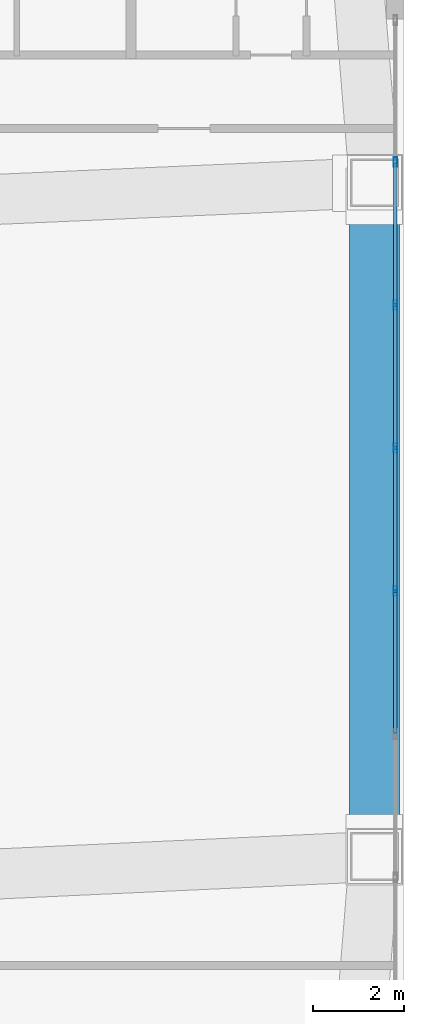
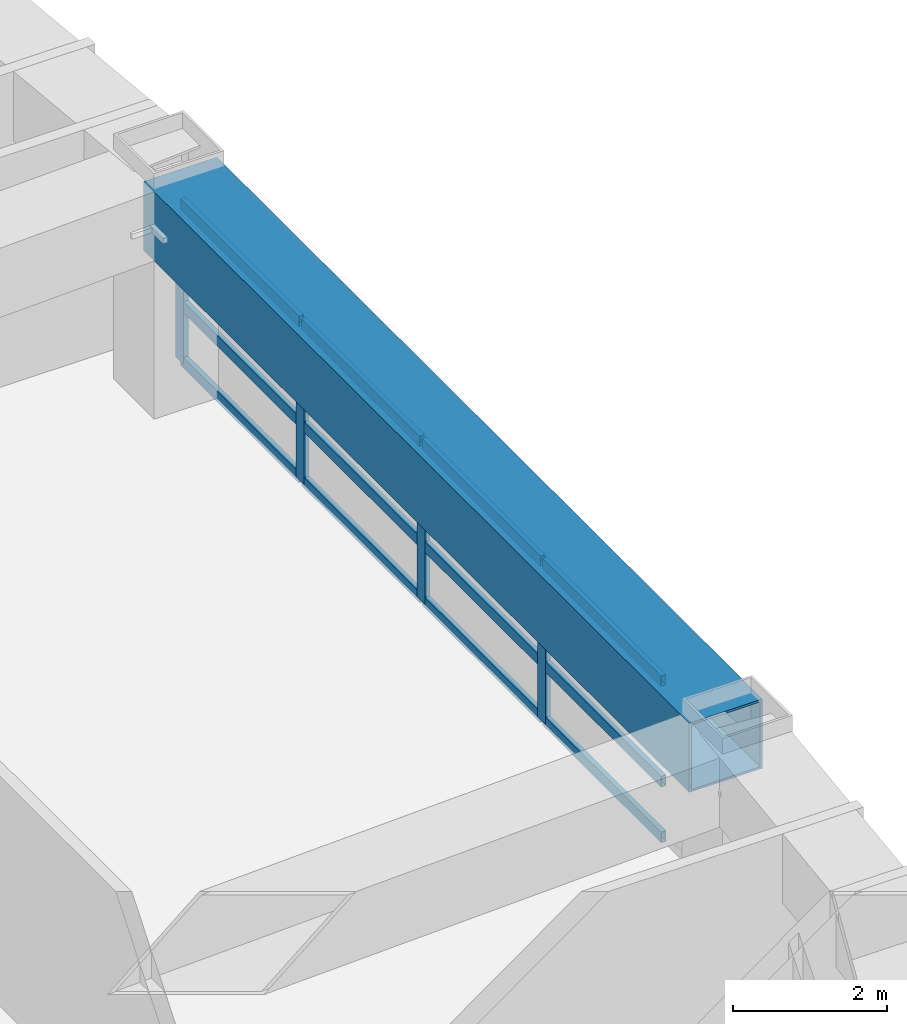
# One storey, part 3 of 18: 16 members, 1 beam, 1 element without a shape of its own.
"""IFC4 building model written with IfcOpenShell, lengths in metres."""

import ifcopenshell
import ifcopenshell.guid

model = None  # the IFC model being written
_history = None  # IfcOwnerHistory: only IFC2X3 demands one
_inside = {}  # id of a spatial element -> (the spatial element, [elements in it])
_under = {}  # id of a project, library or spatial element -> (it, [spatial elements below it])
_declared = {}  # id of a project -> (the project, [libraries it declares])
_typed = {}  # id of a type object -> (the type object, [elements of that type])
_made_of = {}  # id of a material, layer set ... -> (it, [elements and type objects made of it])


def new_model(schema):
    """Start an empty IFC model of exactly this schema.

    Asked for "IFC4X3", IfcOpenShell would pick the latest addendum, in which some entities
    have other attributes; the version numbers below select the first issue.
    IFC2X3 requires an IfcOwnerHistory on every rooted entity: one is made here for all.
    """
    global model, _history
    if schema == "IFC4X3":
        model = ifcopenshell.file(schema_version=(4, 3, 0, 0))
    else:
        model = ifcopenshell.file(schema=schema)
    _inside.clear()
    _under.clear()
    _declared.clear()
    _typed.clear()
    _made_of.clear()
    _history = None
    if model.schema == "IFC2X3":
        org = make("IfcOrganization", Name="unknown")
        user = make(
            "IfcPersonAndOrganization",
            ThePerson=make("IfcPerson", FamilyName="unknown"),
            TheOrganization=org,
        )
        app = make(
            "IfcApplication",
            ApplicationDeveloper=org,
            Version="unknown",
            ApplicationFullName="unknown",
            ApplicationIdentifier="unknown",
        )
        _history = make(
            "IfcOwnerHistory",
            OwningUser=user,
            OwningApplication=app,
            ChangeAction="ADDED",
            CreationDate=0,
        )
    return model


def make(cls, **values):
    """One entity of the class cls with the attributes given. An attribute that is None is left unset."""
    return model.create_entity(
        cls, **{name: value for name, value in values.items() if value is not None}
    )


def rooted(cls, **values):
    """An entity with a GlobalId (a new one), such as an element, a storey or a relation."""
    return make(cls, GlobalId=ifcopenshell.guid.new(), OwnerHistory=_history, **values)


def si_unit(unit_type, name, prefix=None):
    """IfcSIUnit, for example si_unit("LENGTHUNIT", "METRE", prefix="MILLI")."""
    return make("IfcSIUnit", UnitType=unit_type, Prefix=prefix, Name=name)


def assignment(units):
    """IfcUnitAssignment: the units of a project."""
    return None if units is None else make("IfcUnitAssignment", Units=units)


def point(xyz):
    """IfcCartesianPoint."""
    return None if xyz is None else make("IfcCartesianPoint", Coordinates=xyz)


def direction(xyz):
    """IfcDirection."""
    return None if xyz is None else make("IfcDirection", DirectionRatios=xyz)


def frame(location, z_axis=None, x_axis=None):
    """IfcAxis2Placement3D, a coordinate frame: its origin and axes. An axis left out is left unset."""
    return make(
        "IfcAxis2Placement3D",
        Location=point(location),
        Axis=direction(z_axis),
        RefDirection=direction(x_axis),
    )


def frame_2d(location, x_axis=None):
    """IfcAxis2Placement2D, a coordinate frame in the plane: its origin and x axis."""
    return make(
        "IfcAxis2Placement2D", Location=point(location), RefDirection=direction(x_axis)
    )


def origin():
    """The frame at (0, 0, 0) with its axes left unset."""
    return frame((0.0, 0.0, 0.0))


def origin_2d():
    """The frame at (0, 0) in the plane with its x axis left unset."""
    return frame_2d((0.0, 0.0))


def place(relative_to, where):
    """IfcLocalPlacement: puts the frame where relative to a parent placement (None: the world)."""
    return make(
        "IfcLocalPlacement", PlacementRelTo=relative_to, RelativePlacement=where
    )


def context(
    kind, dimensions, precision=None, world=None, true_north=None, identifier=None
):
    """IfcGeometricRepresentationContext, for example the 3D "Model" context."""
    return make(
        "IfcGeometricRepresentationContext",
        ContextIdentifier=identifier,
        ContextType=kind,
        CoordinateSpaceDimension=dimensions,
        Precision=precision,
        WorldCoordinateSystem=world,
        TrueNorth=true_north,
    )


def subcontext(parent, identifier, kind, view, scale=None):
    """IfcGeometricRepresentationSubContext, for example "Body" below "Model"."""
    return make(
        "IfcGeometricRepresentationSubContext",
        ContextIdentifier=identifier,
        ContextType=kind,
        ParentContext=parent,
        TargetScale=scale,
        TargetView=view,
    )


def project(units=None, contexts=None):
    """IfcProject with its units and contexts."""
    return rooted(
        "IfcProject",
        Name="project",
        RepresentationContexts=contexts,
        UnitsInContext=assignment(units),
    )


def spatial(cls, under=None, at=None, **own):
    """A site, building, storey or space (cls), placed at a placement, below another one or the project."""
    s = rooted(cls, ObjectPlacement=at, **own)
    if under is not None:
        _under.setdefault(under.id(), (under, []))[1].append(s)
    return s


def profile(cls, at=None, kind="AREA", **sizes):
    """A parametric profile (cls). Its sizes go by their IFC names, for example OverallWidth=200.0."""
    return make(cls, ProfileType=kind, Position=at, **sizes)


def hollow_rectangle(**sizes):
    """IfcRectangleHollowProfileDef."""
    return profile("IfcRectangleHollowProfileDef", **sizes)


def extrude(swept, where, along, depth):
    """IfcExtrudedAreaSolid: the profile swept, set in the frame where, extruded along a direction by depth."""
    return make(
        "IfcExtrudedAreaSolid",
        SweptArea=swept,
        Position=where,
        ExtrudedDirection=direction(along),
        Depth=depth,
    )


def shape(context_of_items, identifier, shape_type, items):
    """IfcShapeRepresentation: the items that make up one representation, for example the "Body"."""
    return make(
        "IfcShapeRepresentation",
        ContextOfItems=context_of_items,
        RepresentationIdentifier=identifier,
        RepresentationType=shape_type,
        Items=items,
    )


def material(Name=None, Category=None):
    """IfcMaterial."""
    return make("IfcMaterial", Name=Name, Category=Category)


def layer(
    of_material, thickness, ventilated=None, Name=None, Category=None, Priority=None
):
    """IfcMaterialLayer: one layer of a wall or slab, of a material (None: an air gap)."""
    return make(
        "IfcMaterialLayer",
        Material=of_material,
        LayerThickness=thickness,
        IsVentilated=ventilated,
        Name=Name,
        Category=Category,
        Priority=Priority,
    )


def layer_set(layers, Name=None):
    """IfcMaterialLayerSet."""
    return make("IfcMaterialLayerSet", MaterialLayers=layers, LayerSetName=Name)


def material_profile(
    of_material, cross_section, Name=None, Category=None, Priority=None
):
    """IfcMaterialProfile: a cross section and its material."""
    return make(
        "IfcMaterialProfile",
        Name=Name,
        Material=of_material,
        Profile=cross_section,
        Priority=Priority,
        Category=Category,
    )


def profile_set(profiles, Name=None, composite=None):
    """IfcMaterialProfileSet."""
    return make(
        "IfcMaterialProfileSet",
        Name=Name,
        MaterialProfiles=profiles,
        CompositeProfile=composite,
    )


def made_of(thing, what):
    """Note that an element or type object is made of a material, layer set ...; save() writes the relation."""
    if what is not None:
        _made_of.setdefault(what.id(), (what, []))[1].append(thing)
    return thing


def type_object(cls, material=None, **own):
    """A type object (cls), such as IfcWallType, which elements share."""
    return made_of(rooted(cls, **own), material)


def element(
    cls,
    number,
    at=None,
    inside=None,
    cuts=None,
    type_object=None,
    material=None,
    context=None,
    identifier="Body",
    shape_type=None,
    held_by="IfcProductDefinitionShape",
    body=None,
    shapes=None,
    **own,
):
    """One element of the class cls, such as IfcWall. Its Tag is "e" and its number.

    at: its placement. inside: the storey or other place that contains it. cuts: it is an
    opening in that element (IfcRelVoidsElement). A single representation is given by context,
    identifier, shape_type and body (its items); several are given by shapes. held_by: the class
    of the entity that holds the representations. save() writes the other relations.
    """
    e = rooted(cls, Tag="e%d" % number, ObjectPlacement=at, **own)
    if body is not None:
        shapes = [shape(context, identifier, shape_type, body)]
    if shapes is not None:
        e.Representation = make(held_by, Representations=shapes)
    if inside is not None:
        _inside.setdefault(inside.id(), (inside, []))[1].append(e)
    if cuts is not None:
        rooted(
            "IfcRelVoidsElement", RelatingBuildingElement=cuts, RelatedOpeningElement=e
        )
    if type_object is not None:
        _typed.setdefault(type_object.id(), (type_object, []))[1].append(e)
    return made_of(e, material)


def aggregate(whole, parts):
    """IfcRelAggregates: a whole, such as a stair, and the parts it consists of."""
    return rooted("IfcRelAggregates", RelatingObject=whole, RelatedObjects=parts)


def save(model, path):
    """Write the relations noted so far, then the file.

    IfcRelAggregates (storeys below a building ...), IfcRelContainedInSpatialStructure (elements
    in a storey), IfcRelDefinesByType, IfcRelAssociatesMaterial and IfcRelDeclares: one each for
    every whole, place, type object, material and project.
    """
    for whole, parts in _under.values():
        aggregate(whole, parts)
    for where, things in _inside.values():
        rooted(
            "IfcRelContainedInSpatialStructure",
            RelatedElements=things,
            RelatingStructure=where,
        )
    for kind, things in _typed.values():
        rooted("IfcRelDefinesByType", RelatedObjects=things, RelatingType=kind)
    for what, things in _made_of.values():
        rooted("IfcRelAssociatesMaterial", RelatedObjects=things, RelatingMaterial=what)
    for by, libraries in _declared.values():
        rooted("IfcRelDeclares", RelatingContext=by, RelatedDefinitions=libraries)
    model.write(path)


model = new_model("IFC4")

# Units and contexts
model_context = context("Model", 3, precision=1e-05, world=origin(), true_north=direction((0.0, 1.0)))
body_context = subcontext(model_context, "Body", "Model", "MODEL_VIEW")
ifc_project = project(units=[si_unit("LENGTHUNIT", "METRE"), si_unit("AREAUNIT", "SQUARE_METRE"), si_unit("VOLUMEUNIT", "CUBIC_METRE"), si_unit("PLANEANGLEUNIT", "RADIAN"), si_unit("MASSUNIT", "GRAM", prefix="KILO")], contexts=[model_context])

# Site, building, storey
site_placement = place(None, origin())
site = spatial("IfcSite", under=ifc_project, at=site_placement, CompositionType="ELEMENT")
building_placement = place(site_placement, origin())
building = spatial("IfcBuilding", under=site, at=building_placement, Name="Voryun Gate Residences", CompositionType="ELEMENT")
storey_placement = place(building_placement, frame((0.0, 0.0, 85.800048828125)))
storey = spatial("IfcBuildingStorey", under=building, at=storey_placement, Name="L20", CompositionType="ELEMENT", Elevation=85.800048828125)

# Beam
ifc_material_1 = material(Name="Steel SM420", Category="steel")
ifc_material_profile_1 = material_profile(ifc_material_1, hollow_rectangle(XDim=1.10009765625, YDim=1.10009765625, WallThickness=0.035888671875, at=origin_2d()), Name="BOX-1100x1100x36")
ifc_profile_set_1 = profile_set([ifc_material_profile_1], Name="Steel SM420")
beam_type = type_object("IfcBeamType", Name="BM_ARCH_RIB", PredefinedType="USERDEFINED", material=ifc_profile_set_1)
beam_placement = place(storey_placement, frame((32.75, -6.498046875, 3.099853515625), z_axis=(0.0, 1.0, 0.0), x_axis=(-1.0, 0.0, 0.0)))
element("IfcBeam", 1, at=beam_placement, inside=storey, type_object=beam_type, Name="BM-L20-SPAND-08", ObjectType="GIRDER", PredefinedType="USERDEFINED", context=body_context, shape_type="SweptSolid", body=[
    extrude(hollow_rectangle(XDim=1.10009765625, YDim=1.10009765625, WallThickness=0.035888671875, at=origin_2d()), origin(), (0.0, 0.0, 1.0), 14.196044921875),
])

# Curtain wall, members
ifc_material_2 = material(Name="Anodised aluminium", Category="aluminium")
ifc_layer = layer(ifc_material_2, 0.2099609375, Name="CW_SYS_SKYGARDEN_DARK_GLASS")
ifc_layer_set = layer_set([ifc_layer], Name="Anodised aluminium")
curtain_wall_type = type_object("IfcCurtainWallType", Name="CW_SYS_SKYGARDEN_DARK_GLASS", PredefinedType="NOTDEFINED", material=ifc_layer_set)
curtain_wall_placement = place(storey_placement, origin())
curtain_wall = element("IfcCurtainWall", 2, at=curtain_wall_placement, inside=storey, type_object=curtain_wall_type, Name="Curtain wall CW5-L20-SG-16", PredefinedType="NOTDEFINED")
ifc_material_3 = material(Name="Anodised aluminium", Category="aluminium")
ifc_material_profile_2 = material_profile(ifc_material_3, hollow_rectangle(XDim=0.074951171875, YDim=0.2099609375, WallThickness=0.0048828125, at=origin_2d()), Name="ALU-MULL-210x75x5")
ifc_profile_set_2 = profile_set([ifc_material_profile_2], Name="Anodised aluminium")
member_type_1 = type_object("IfcMemberType", Name="CW_MULL_SKY", PredefinedType="MULLION", material=ifc_profile_set_2)
member_1_placement = place(storey_placement, frame((33.2099609375, 8.454345703125, 0.0), z_axis=(0.0, 0.0, 1.0), x_axis=(1.0, 0.0, 0.0)))
member_1 = element("IfcMember", 3, at=member_1_placement, type_object=member_type_1, Name="CW5 mullion 2", PredefinedType="MULLION", context=body_context, shape_type="SweptSolid", body=[
    extrude(hollow_rectangle(XDim=0.074951171875, YDim=0.2099609375, WallThickness=0.0048828125, at=origin_2d()), origin(), (0.0, 0.0, 1.0), 2.5400390625),
])
member_2_placement = place(storey_placement, frame((33.2099609375, 5.3125, 0.0), z_axis=(0.0, 0.0, 1.0), x_axis=(1.0, 0.0, 0.0)))
member_2 = element("IfcMember", 4, at=member_2_placement, type_object=member_type_1, Name="CW5 mullion 3", PredefinedType="MULLION", context=body_context, shape_type="SweptSolid", body=[
    extrude(hollow_rectangle(XDim=0.074951171875, YDim=0.2099609375, WallThickness=0.0048828125, at=origin_2d()), origin(), (0.0, 0.0, 1.0), 2.5400390625),
])
member_3_placement = place(storey_placement, frame((33.2099609375, 2.1708984375, 0.0), z_axis=(0.0, 0.0, 1.0), x_axis=(1.0, 0.0, 0.0)))
member_3 = element("IfcMember", 5, at=member_3_placement, type_object=member_type_1, Name="CW5 mullion 4", PredefinedType="MULLION", context=body_context, shape_type="SweptSolid", body=[
    extrude(hollow_rectangle(XDim=0.074951171875, YDim=0.2099609375, WallThickness=0.0048828125, at=origin_2d()), origin(), (0.0, 0.0, 1.0), 2.5400390625),
])
member_4_placement = place(storey_placement, frame((33.2099609375, -0.970947265625, 0.0), z_axis=(0.0, 0.0, 1.0), x_axis=(1.0, 0.0, 0.0)))
member_4 = element("IfcMember", 6, at=member_4_placement, type_object=member_type_1, Name="CW5 mullion 5", PredefinedType="MULLION", context=body_context, shape_type="SweptSolid", body=[
    extrude(hollow_rectangle(XDim=0.074951171875, YDim=0.2099609375, WallThickness=0.0048828125, at=origin_2d()), origin(), (0.0, 0.0, 1.0), 2.5400390625),
])
ifc_material_4 = material(Name="Anodised aluminium", Category="aluminium")
ifc_material_profile_3 = material_profile(ifc_material_4, hollow_rectangle(XDim=0.074951171875, YDim=0.169921875, WallThickness=0.0048828125, at=origin_2d()), Name="ALU-TRAN-170x75x5")
ifc_profile_set_3 = profile_set([ifc_material_profile_3], Name="Anodised aluminium")
member_type_2 = type_object("IfcMemberType", Name="CW_TRAN_SKY", PredefinedType="USERDEFINED", material=ifc_profile_set_3)
member_5_placement = place(storey_placement, frame((33.2099609375, 8.42431640625, 0.030029296875), z_axis=(0.0, -1.0, 0.0), x_axis=(1.0, 0.0, 0.0)))
member_5 = element("IfcMember", 7, at=member_5_placement, type_object=member_type_2, Name="CW5 transom 2.1", ObjectType="TRANSOM", PredefinedType="USERDEFINED", context=body_context, shape_type="SweptSolid", body=[
    extrude(hollow_rectangle(XDim=0.074951171875, YDim=0.169921875, WallThickness=0.0048828125, at=origin_2d()), origin(), (0.0, 0.0, 1.0), 3.081787109375),
])
member_6_placement = place(storey_placement, frame((33.2099609375, 8.42431640625, 0.914306640625), z_axis=(0.0, -1.0, 0.0), x_axis=(1.0, 0.0, 0.0)))
member_6 = element("IfcMember", 8, at=member_6_placement, type_object=member_type_2, Name="CW5 transom 2.2", ObjectType="TRANSOM", PredefinedType="USERDEFINED", context=body_context, shape_type="SweptSolid", body=[
    extrude(hollow_rectangle(XDim=0.074951171875, YDim=0.169921875, WallThickness=0.0048828125, at=origin_2d()), origin(), (0.0, 0.0, 1.0), 3.081787109375),
])
member_7_placement = place(storey_placement, frame((33.2099609375, 8.42431640625, 2.510009765625), z_axis=(0.0, -1.0, 0.0), x_axis=(1.0, 0.0, 0.0)))
member_7 = element("IfcMember", 9, at=member_7_placement, type_object=member_type_2, Name="CW5 transom 2.3", ObjectType="TRANSOM", PredefinedType="USERDEFINED", context=body_context, shape_type="SweptSolid", body=[
    extrude(hollow_rectangle(XDim=0.074951171875, YDim=0.169921875, WallThickness=0.0048828125, at=origin_2d()), origin(), (0.0, 0.0, 1.0), 3.081787109375),
])
member_8_placement = place(storey_placement, frame((33.2099609375, 5.282470703125, 0.030029296875), z_axis=(0.0, -1.0, 0.0), x_axis=(1.0, 0.0, 0.0)))
member_8 = element("IfcMember", 10, at=member_8_placement, type_object=member_type_2, Name="CW5 transom 3.1", ObjectType="TRANSOM", PredefinedType="USERDEFINED", context=body_context, shape_type="SweptSolid", body=[
    extrude(hollow_rectangle(XDim=0.074951171875, YDim=0.169921875, WallThickness=0.0048828125, at=origin_2d()), origin(), (0.0, 0.0, 1.0), 3.08154296875),
])
member_9_placement = place(storey_placement, frame((33.2099609375, 5.282470703125, 0.914306640625), z_axis=(0.0, -1.0, 0.0), x_axis=(1.0, 0.0, 0.0)))
member_9 = element("IfcMember", 11, at=member_9_placement, type_object=member_type_2, Name="CW5 transom 3.2", ObjectType="TRANSOM", PredefinedType="USERDEFINED", context=body_context, shape_type="SweptSolid", body=[
    extrude(hollow_rectangle(XDim=0.074951171875, YDim=0.169921875, WallThickness=0.0048828125, at=origin_2d()), origin(), (0.0, 0.0, 1.0), 3.08154296875),
])
member_10_placement = place(storey_placement, frame((33.2099609375, 5.282470703125, 2.510009765625), z_axis=(0.0, -1.0, 0.0), x_axis=(1.0, 0.0, 0.0)))
member_10 = element("IfcMember", 12, at=member_10_placement, type_object=member_type_2, Name="CW5 transom 3.3", ObjectType="TRANSOM", PredefinedType="USERDEFINED", context=body_context, shape_type="SweptSolid", body=[
    extrude(hollow_rectangle(XDim=0.074951171875, YDim=0.169921875, WallThickness=0.0048828125, at=origin_2d()), origin(), (0.0, 0.0, 1.0), 3.08154296875),
])
member_11_placement = place(storey_placement, frame((33.2099609375, 2.140869140625, 0.030029296875), z_axis=(0.0, -1.0, 0.0), x_axis=(1.0, 0.0, 0.0)))
member_11 = element("IfcMember", 13, at=member_11_placement, type_object=member_type_2, Name="CW5 transom 4.1", ObjectType="TRANSOM", PredefinedType="USERDEFINED", context=body_context, shape_type="SweptSolid", body=[
    extrude(hollow_rectangle(XDim=0.074951171875, YDim=0.169921875, WallThickness=0.0048828125, at=origin_2d()), origin(), (0.0, 0.0, 1.0), 3.081787109375),
])
member_12_placement = place(storey_placement, frame((33.2099609375, 2.140869140625, 0.914306640625), z_axis=(0.0, -1.0, 0.0), x_axis=(1.0, 0.0, 0.0)))
member_12 = element("IfcMember", 14, at=member_12_placement, type_object=member_type_2, Name="CW5 transom 4.2", ObjectType="TRANSOM", PredefinedType="USERDEFINED", context=body_context, shape_type="SweptSolid", body=[
    extrude(hollow_rectangle(XDim=0.074951171875, YDim=0.169921875, WallThickness=0.0048828125, at=origin_2d()), origin(), (0.0, 0.0, 1.0), 3.081787109375),
])
member_13_placement = place(storey_placement, frame((33.2099609375, 2.140869140625, 2.510009765625), z_axis=(0.0, -1.0, 0.0), x_axis=(1.0, 0.0, 0.0)))
member_13 = element("IfcMember", 15, at=member_13_placement, type_object=member_type_2, Name="CW5 transom 4.3", ObjectType="TRANSOM", PredefinedType="USERDEFINED", context=body_context, shape_type="SweptSolid", body=[
    extrude(hollow_rectangle(XDim=0.074951171875, YDim=0.169921875, WallThickness=0.0048828125, at=origin_2d()), origin(), (0.0, 0.0, 1.0), 3.081787109375),
])
member_14_placement = place(storey_placement, frame((33.2099609375, -1.0009765625, 0.030029296875), z_axis=(0.0, -1.0, 0.0), x_axis=(1.0, 0.0, 0.0)))
member_14 = element("IfcMember", 16, at=member_14_placement, type_object=member_type_2, Name="CW5 transom 5.1", ObjectType="TRANSOM", PredefinedType="USERDEFINED", context=body_context, shape_type="SweptSolid", body=[
    extrude(hollow_rectangle(XDim=0.074951171875, YDim=0.169921875, WallThickness=0.0048828125, at=origin_2d()), origin(), (0.0, 0.0, 1.0), 3.08154296875),
])
member_15_placement = place(storey_placement, frame((33.2099609375, -1.0009765625, 0.914306640625), z_axis=(0.0, -1.0, 0.0), x_axis=(1.0, 0.0, 0.0)))
member_15 = element("IfcMember", 17, at=member_15_placement, type_object=member_type_2, Name="CW5 transom 5.2", ObjectType="TRANSOM", PredefinedType="USERDEFINED", context=body_context, shape_type="SweptSolid", body=[
    extrude(hollow_rectangle(XDim=0.074951171875, YDim=0.169921875, WallThickness=0.0048828125, at=origin_2d()), origin(), (0.0, 0.0, 1.0), 3.08154296875),
])
member_16_placement = place(storey_placement, frame((33.2099609375, -1.0009765625, 2.510009765625), z_axis=(0.0, -1.0, 0.0), x_axis=(1.0, 0.0, 0.0)))
member_16 = element("IfcMember", 18, at=member_16_placement, type_object=member_type_2, Name="CW5 transom 5.3", ObjectType="TRANSOM", PredefinedType="USERDEFINED", context=body_context, shape_type="SweptSolid", body=[
    extrude(hollow_rectangle(XDim=0.074951171875, YDim=0.169921875, WallThickness=0.0048828125, at=origin_2d()), origin(), (0.0, 0.0, 1.0), 3.08154296875),
])
aggregate(curtain_wall, [member_1, member_2, member_3, member_4, member_5, member_6, member_7, member_8, member_9, member_10, member_11, member_12, member_13, member_14, member_15, member_16])

save(model, "model.ifc")
